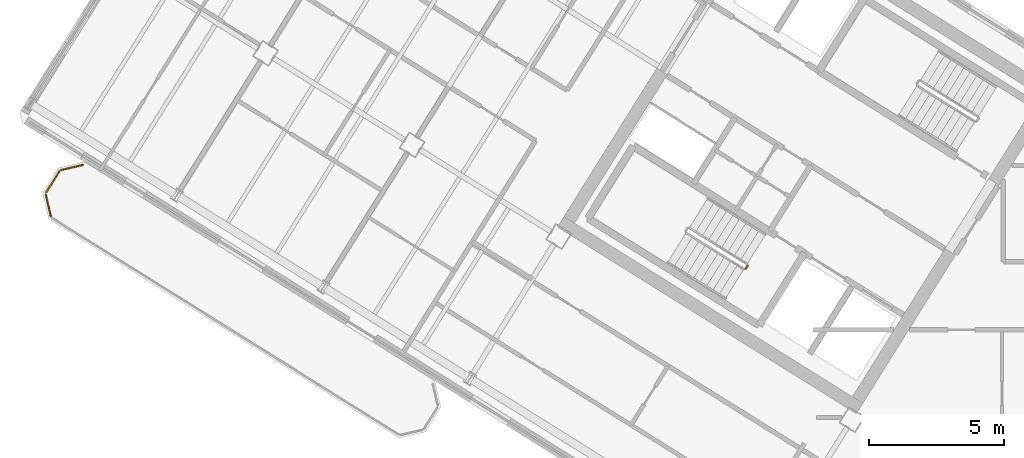
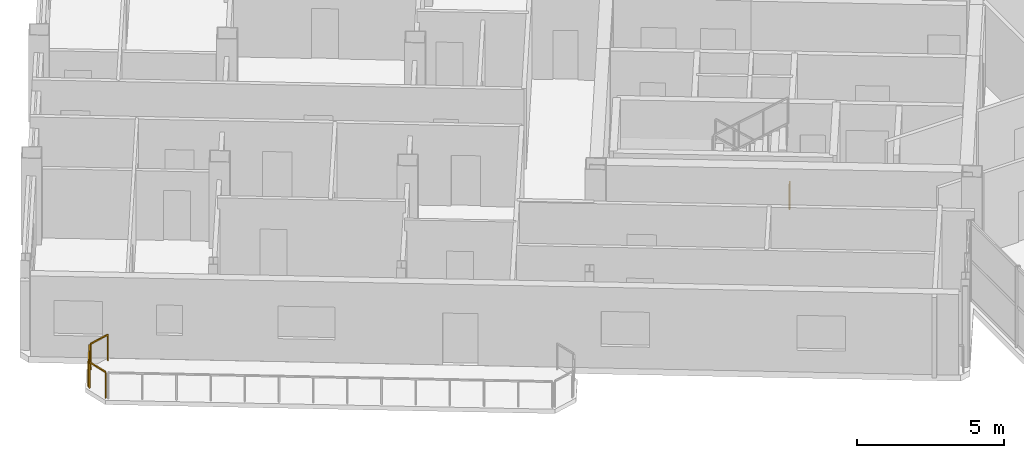
# One storey, part 13 of 17: 4 railings.
"""IFC4 building model written with IfcOpenShell, lengths in metres."""

from ifc_helpers import new_model, si_unit, direction, frame, origin, origin_2d, place, context, subcontext, project, spatial, rectangle, extrude, source, transform, mapped, material, type_object, element, save


model = new_model("IFC4")

# Units and contexts
model_context = context("Model", 3, precision=1e-05, world=origin(), true_north=direction((0.0, 1.0)))
body_context = subcontext(model_context, "Body", "Model", "MODEL_VIEW")
ifc_project = project(units=[si_unit("LENGTHUNIT", "METRE"), si_unit("AREAUNIT", "SQUARE_METRE"), si_unit("VOLUMEUNIT", "CUBIC_METRE"), si_unit("PLANEANGLEUNIT", "RADIAN"), si_unit("MASSUNIT", "GRAM", prefix="KILO")], contexts=[model_context])

# Site, building, storey
site_placement = place(None, origin())
site = spatial("IfcSite", under=ifc_project, at=site_placement, CompositionType="ELEMENT")
building_placement = place(site_placement, origin())
building = spatial("IfcBuilding", under=site, at=building_placement, Name="Tlacorven Tower", CompositionType="ELEMENT")
storey_placement = place(building_placement, frame((0.0, 0.0, 270.0)))
storey = spatial("IfcBuildingStorey", under=building, at=storey_placement, Name="L68", CompositionType="ELEMENT", Elevation=270.0)

# Railings
ifc_material = material(Name="Aluminium and painted steel balustrade", Category="steel")
railing_type_1 = type_object("IfcRailingType", Name="RL-BAL-1100", PredefinedType="BALUSTRADE", material=ifc_material)
shared_shape_1 = source(origin(), body_context, "Body", "SweptSolid", [
    extrude(rectangle(XDim=0.048095703125, YDim=0.048095703125, at=origin_2d()), frame((0.0, 0.0, 1.076171875), z_axis=(-0.225058334816, 0.974345290916, 0.0), x_axis=(-0.974345290916, -0.225058334816, 0.0)), (0.0, 0.0, 1.0), 0.80712890625),
    extrude(rectangle(XDim=0.0419921875, YDim=0.0419921875, at=origin_2d()), origin(), (0.0, 0.0, 1.0), 1.052001953125),
    extrude(rectangle(XDim=0.0419921875, YDim=0.0419921875, at=origin_2d()), frame((-0.181640625, 0.786376953125, 0.0)), (0.0, 0.0, 1.0), 1.052001953125),
])
railing_1_placement = place(storey_placement, frame((3.380859375, 19.62841796875, 0.0)))
element("IfcRailing", 1, at=railing_1_placement, inside=storey, type_object=railing_type_1, Name="BAL-L68-W-OUT Guard Railing 5", PredefinedType="BALUSTRADE", context=body_context, shape_type="MappedRepresentation", body=[
    mapped(shared_shape_1, transform((0.0, 0.0, 0.0), scale=1.0)),
])
shared_shape_2 = source(origin(), body_context, "Body", "SweptSolid", [
    extrude(rectangle(XDim=0.048095703125, YDim=0.048095703125, at=origin_2d()), frame((0.0, 0.0, 1.076171875), z_axis=(0.52987865805, 0.848073468364, 0.0), x_axis=(-0.848073468364, 0.52987865805, 0.0)), (0.0, 0.0, 1.0), 0.912353515625),
    extrude(rectangle(XDim=0.0419921875, YDim=0.0419921875, at=origin_2d()), origin(), (0.0, 0.0, 1.0), 1.052001953125),
    extrude(rectangle(XDim=0.0419921875, YDim=0.0419921875, at=origin_2d()), frame((0.4833984375, 0.773681640625, 0.0)), (0.0, 0.0, 1.0), 1.052001953125),
])
railing_2_placement = place(storey_placement, frame((3.214599609375, 20.505859375, 0.0)))
element("IfcRailing", 2, at=railing_2_placement, inside=storey, type_object=railing_type_1, Name="BAL-L68-W-OUT Guard Railing 6", PredefinedType="BALUSTRADE", context=body_context, shape_type="MappedRepresentation", body=[
    mapped(shared_shape_2, transform((0.0, 0.0, 0.0), scale=1.0)),
])
shared_shape_3 = source(origin(), body_context, "Body", "SweptSolid", [
    extrude(rectangle(XDim=0.048095703125, YDim=0.048095703125, at=origin_2d()), frame((0.0, 0.0, 1.076171875), z_axis=(0.974345290916, 0.225058334816, 0.0), x_axis=(-0.225058334816, 0.974345290916, 0.0)), (0.0, 0.0, 1.0), 0.80712890625),
    extrude(rectangle(XDim=0.0419921875, YDim=0.0419921875, at=origin_2d()), origin(), (0.0, 0.0, 1.0), 1.052001953125),
    extrude(rectangle(XDim=0.0419921875, YDim=0.0419921875, at=origin_2d()), frame((0.786376953125, 0.181640625, 0.0)), (0.0, 0.0, 1.0), 1.052001953125),
])
railing_3_placement = place(storey_placement, frame((3.773193359375, 21.3330078125, 0.0)))
element("IfcRailing", 3, at=railing_3_placement, inside=storey, type_object=railing_type_1, Name="BAL-L68-W-OUT Guard Railing 7", PredefinedType="BALUSTRADE", context=body_context, shape_type="MappedRepresentation", body=[
    mapped(shared_shape_3, transform((0.0, 0.0, 0.0), scale=1.0)),
])
railing_type_2 = type_object("IfcRailingType", Name="RL-GRD-1100", PredefinedType="GUARDRAIL", material=ifc_material)
shared_shape_4 = source(origin(), body_context, "Body", "SweptSolid", [
    extrude(rectangle(XDim=0.048095703125, YDim=0.048095703125, at=origin_2d()), frame((0.0, 0.0, 1.076171875), z_axis=(-0.529084052582, -0.848569422795, 0.0), x_axis=(0.848569422795, -0.529084052582, 0.0)), (0.0, 0.0, 1.0), 0.119873046875),
    extrude(rectangle(XDim=0.0419921875, YDim=0.0419921875, at=origin_2d()), origin(), (0.0, 0.0, 1.0), 1.052001953125),
    extrude(rectangle(XDim=0.0419921875, YDim=0.0419921875, at=origin_2d()), frame((-0.0634765625, -0.101806640625, 0.0)), (0.0, 0.0, 1.0), 1.052001953125),
])
railing_4_placement = place(storey_placement, frame((29.176513671875, 17.782958984375, 0.0)))
element("IfcRailing", 4, at=railing_4_placement, inside=storey, type_object=railing_type_2, Name="L68 ST-W1 stair guard 4", PredefinedType="GUARDRAIL", context=body_context, shape_type="MappedRepresentation", body=[
    mapped(shared_shape_4, transform((0.0, 0.0, 0.0), scale=1.0)),
])

save(model, "model.ifc")
